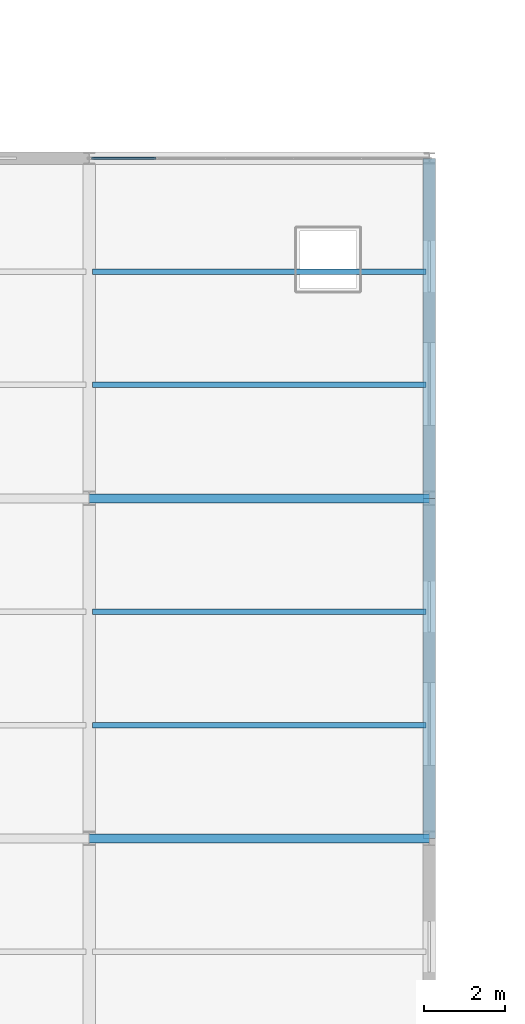
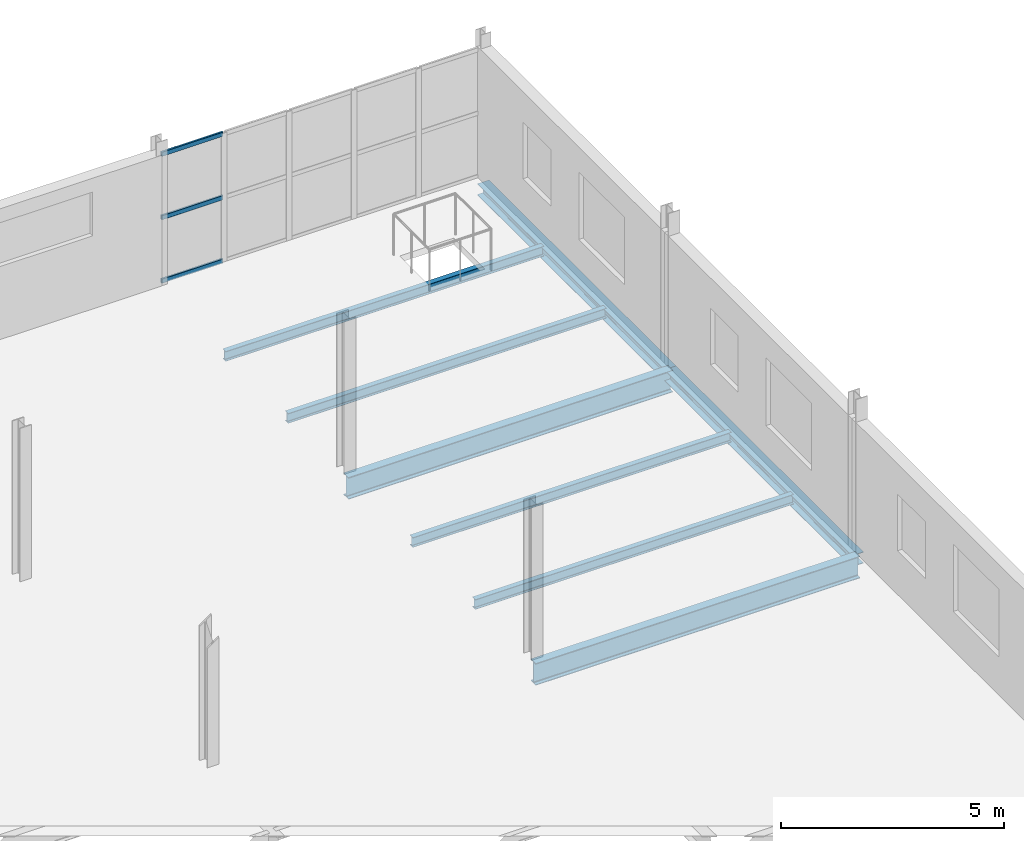
# One storey, part 103 of 163: 8 beams, 3 members, 1 element without a shape of its own.
"""IFC4 building model written with IfcOpenShell, lengths in metres."""

from ifc_helpers import new_model, si_unit, direction, frame, origin, origin_2d, place, context, subcontext, project, spatial, hollow_rectangle, i_section, extrude, material, layer, layer_set, material_profile, profile_set, type_object, element, aggregate, save


model = new_model("IFC4")

# Units and contexts
model_context = context("Model", 3, precision=1e-05, world=origin(), true_north=direction((0.0, 1.0)))
body_context = subcontext(model_context, "Body", "Model", "MODEL_VIEW")
ifc_project = project(units=[si_unit("LENGTHUNIT", "METRE"), si_unit("AREAUNIT", "SQUARE_METRE"), si_unit("VOLUMEUNIT", "CUBIC_METRE"), si_unit("PLANEANGLEUNIT", "RADIAN"), si_unit("MASSUNIT", "GRAM", prefix="KILO")], contexts=[model_context])

# Site, building, storey
site_placement = place(None, origin())
site = spatial("IfcSite", under=ifc_project, at=site_placement, CompositionType="ELEMENT")
building_placement = place(site_placement, origin())
building = spatial("IfcBuilding", under=site, at=building_placement, Name="Qalvenar Corner Mobility Hub", CompositionType="ELEMENT")
storey_placement = place(building_placement, frame((0.0, 0.0, 4.800048828125)))
storey = spatial("IfcBuildingStorey", under=building, at=storey_placement, Name="L01", CompositionType="ELEMENT", Elevation=4.800048828125)

# Beams
ifc_material_1 = material(Name="Steel S355", Category="steel")
ifc_material_profile_1 = material_profile(ifc_material_1, i_section(OverallWidth=0.219970703125, OverallDepth=0.60009765625, WebThickness=0.011962890625, FlangeThickness=0.01904296875, FilletRadius=0.02392578125, at=origin_2d()), Name="IPE600")
ifc_profile_set_1 = profile_set([ifc_material_profile_1], Name="Steel S355")
beam_type_1 = type_object("IfcBeamType", Name="BM-IPE600", PredefinedType="BEAM", material=ifc_profile_set_1)
for number, where, z_axis, x_axis, name in (
    (1, (159.60009765625, 33.60009765625, -0.47998046875), (1.0, 0.0, 0.0), (0.0, 1.0, 0.0), "Primary Steel Girder GX-1012"),
    (2, (159.60009765625, 42.0, -0.47998046875), (1.0, 0.0, 0.0), (0.0, 1.0, 0.0), "Primary Steel Girder GX-1019"),
):
    element("IfcBeam", number, at=place(storey_placement, frame(where, z_axis=z_axis, x_axis=x_axis)), inside=storey, type_object=beam_type_1, Name=name, PredefinedType="BEAM", context=body_context, shape_type="SweptSolid", body=[
        extrude(i_section(OverallWidth=0.219970703125, OverallDepth=0.60009765625, WebThickness=0.011962890625, FlangeThickness=0.01904296875, FilletRadius=0.02392578125, at=origin_2d()), origin(), (0.0, 0.0, 1.0), 8.39990234375),
    ])
ifc_material_profile_2 = material_profile(ifc_material_1, i_section(OverallWidth=0.135009765625, OverallDepth=0.27001953125, WebThickness=0.006591796875, FlangeThickness=0.01025390625, FilletRadius=0.014892578125, at=origin_2d()), Name="IPE270")
ifc_profile_set_2 = profile_set([ifc_material_profile_2], Name="Steel S355")
beam_type_2 = type_object("IfcBeamType", Name="BM-JST270", PredefinedType="JOIST", material=ifc_profile_set_2)
for number, where, z_axis, x_axis, name in (
    (3, (159.677978515625, 36.39990234375, -0.31494140625), (1.0, 0.0, 0.0), (0.0, 1.0, 0.0), "Composite Floor Joist J-1152"),
    (4, (159.677978515625, 39.199951171875, -0.31494140625), (1.0, 0.0, 0.0), (0.0, 1.0, 0.0), "Composite Floor Joist J-1153"),
    (5, (159.677978515625, 44.800048828125, -0.31494140625), (1.0, 0.0, 0.0), (0.0, 1.0, 0.0), "Composite Floor Joist J-1154"),
    (6, (159.677978515625, 47.60009765625, -0.31494140625), (1.0, 0.0, 0.0), (0.0, 1.0, 0.0), "Composite Floor Joist J-1155"),
):
    element("IfcBeam", number, at=place(storey_placement, frame(where, z_axis=z_axis, x_axis=x_axis)), inside=storey, type_object=beam_type_2, Name=name, PredefinedType="JOIST", context=body_context, shape_type="SweptSolid", body=[
        extrude(i_section(OverallWidth=0.135009765625, OverallDepth=0.27001953125, WebThickness=0.006591796875, FlangeThickness=0.01025390625, FilletRadius=0.014892578125, at=origin_2d()), origin(), (0.0, 0.0, 1.0), 8.244140625),
    ])
ifc_material_profile_3 = material_profile(ifc_material_1, i_section(OverallWidth=0.300048828125, OverallDepth=0.31005859375, WebThickness=0.009033203125, FlangeThickness=0.015380859375, FilletRadius=0.027099609375, at=origin_2d()), Name="HEA320")
ifc_profile_set_3 = profile_set([ifc_material_profile_3], Name="Steel S355")
beam_type_3 = type_object("IfcBeamType", Name="BM-SPN320", PredefinedType="SPANDREL", material=ifc_profile_set_3)
for number, where, z_axis, x_axis, name in (
    (7, (168.0, 33.60009765625, -0.3349609375), (0.0, 1.0, 0.0), (-1.0, 0.0, 0.0), "Primary Steel Girder GY-1072"),
    (8, (168.0, 42.0, -0.3349609375), (0.0, 1.0, 0.0), (-1.0, 0.0, 0.0), "Primary Steel Girder GY-1073"),
):
    element("IfcBeam", number, at=place(storey_placement, frame(where, z_axis=z_axis, x_axis=x_axis)), inside=storey, type_object=beam_type_3, Name=name, PredefinedType="SPANDREL", context=body_context, shape_type="SweptSolid", body=[
        extrude(i_section(OverallWidth=0.300048828125, OverallDepth=0.31005859375, WebThickness=0.009033203125, FlangeThickness=0.015380859375, FilletRadius=0.027099609375, at=origin_2d()), origin(), (0.0, 0.0, 1.0), 8.39990234375),
    ])

# Curtain wall, members
ifc_material_2 = material(Name="Anodised Aluminium and Low-E Glazing", Category="aluminium")
ifc_layer = layer(ifc_material_2, 0.14990234375)
ifc_layer_set = layer_set([ifc_layer], Name="Anodised Aluminium and Low-E Glazing")
curtain_wall_type = type_object("IfcCurtainWallType", Name="CW-WKS-84X44", PredefinedType="NOTDEFINED", material=ifc_layer_set)
curtain_wall_placement = place(storey_placement, origin())
curtain_wall = element("IfcCurtainWall", 9, at=curtain_wall_placement, inside=storey, type_object=curtain_wall_type, Name="Glazed Curtain Wall CW-V6-L01-N6", PredefinedType="NOTDEFINED")
ifc_material_3 = material(Name="Anodised Aluminium 6063-T6", Category="aluminium")
ifc_material_profile_4 = material_profile(ifc_material_3, hollow_rectangle(XDim=0.054931640625, YDim=0.1201171875, WallThickness=0.00341796875, InnerFilletRadius=0.00341796875, OuterFilletRadius=0.007080078125, at=origin_2d()), Name="RHS120x55x3.5")
ifc_profile_set_4 = profile_set([ifc_material_profile_4], Name="Anodised Aluminium 6063-T6")
member_type = type_object("IfcMemberType", Name="CW-TRN120", PredefinedType="USERDEFINED", material=ifc_profile_set_4)
member_1_placement = place(storey_placement, frame((161.25, 50.39990234375, 0.02734375), z_axis=(-1.0, 0.0, 0.0), x_axis=(0.0, -1.0, 0.0)))
member_1 = element("IfcMember", 10, at=member_1_placement, type_object=member_type, Name="CW-09 transom 5.1", ObjectType="TRANSOM", PredefinedType="USERDEFINED", context=body_context, shape_type="SweptSolid", body=[
    extrude(hollow_rectangle(XDim=0.054931640625, YDim=0.1201171875, WallThickness=0.00341796875, InnerFilletRadius=0.00341796875, OuterFilletRadius=0.007080078125, at=origin_2d()), origin(), (0.0, 0.0, 1.0), 1.590087890625),
])
member_2_placement = place(storey_placement, frame((161.25, 50.39990234375, 1.764892578125), z_axis=(-1.0, 0.0, 0.0), x_axis=(0.0, -1.0, 0.0)))
member_2 = element("IfcMember", 11, at=member_2_placement, type_object=member_type, Name="CW-09 transom 5.2", ObjectType="TRANSOM", PredefinedType="USERDEFINED", context=body_context, shape_type="SweptSolid", body=[
    extrude(hollow_rectangle(XDim=0.054931640625, YDim=0.1201171875, WallThickness=0.00341796875, InnerFilletRadius=0.00341796875, OuterFilletRadius=0.007080078125, at=origin_2d()), origin(), (0.0, 0.0, 1.0), 1.590087890625),
])
member_3_placement = place(storey_placement, frame((161.25, 50.39990234375, 3.50244140625), z_axis=(-1.0, 0.0, 0.0), x_axis=(0.0, -1.0, 0.0)))
member_3 = element("IfcMember", 12, at=member_3_placement, type_object=member_type, Name="CW-09 transom 5.3", ObjectType="TRANSOM", PredefinedType="USERDEFINED", context=body_context, shape_type="SweptSolid", body=[
    extrude(hollow_rectangle(XDim=0.054931640625, YDim=0.1201171875, WallThickness=0.00341796875, InnerFilletRadius=0.00341796875, OuterFilletRadius=0.007080078125, at=origin_2d()), origin(), (0.0, 0.0, 1.0), 1.590087890625),
])
aggregate(curtain_wall, [member_1, member_2, member_3])

save(model, "model.ifc")
